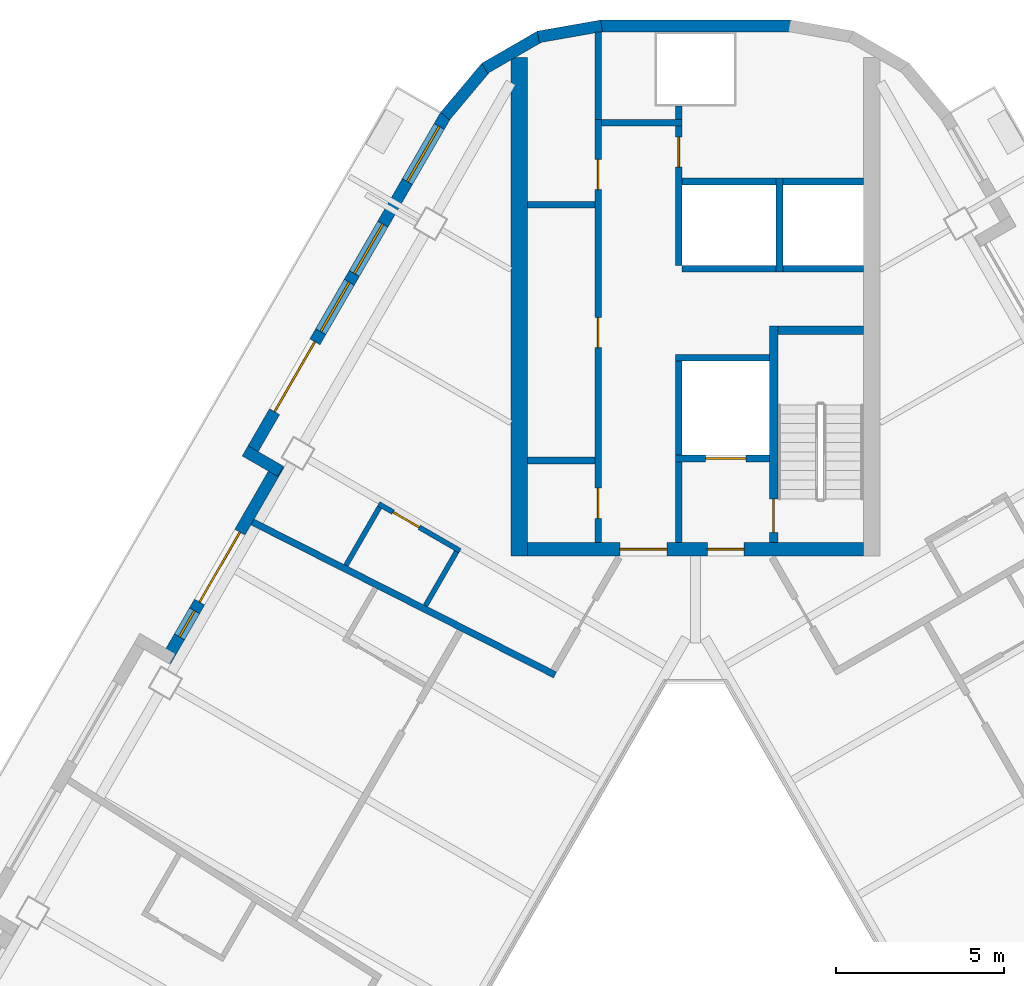
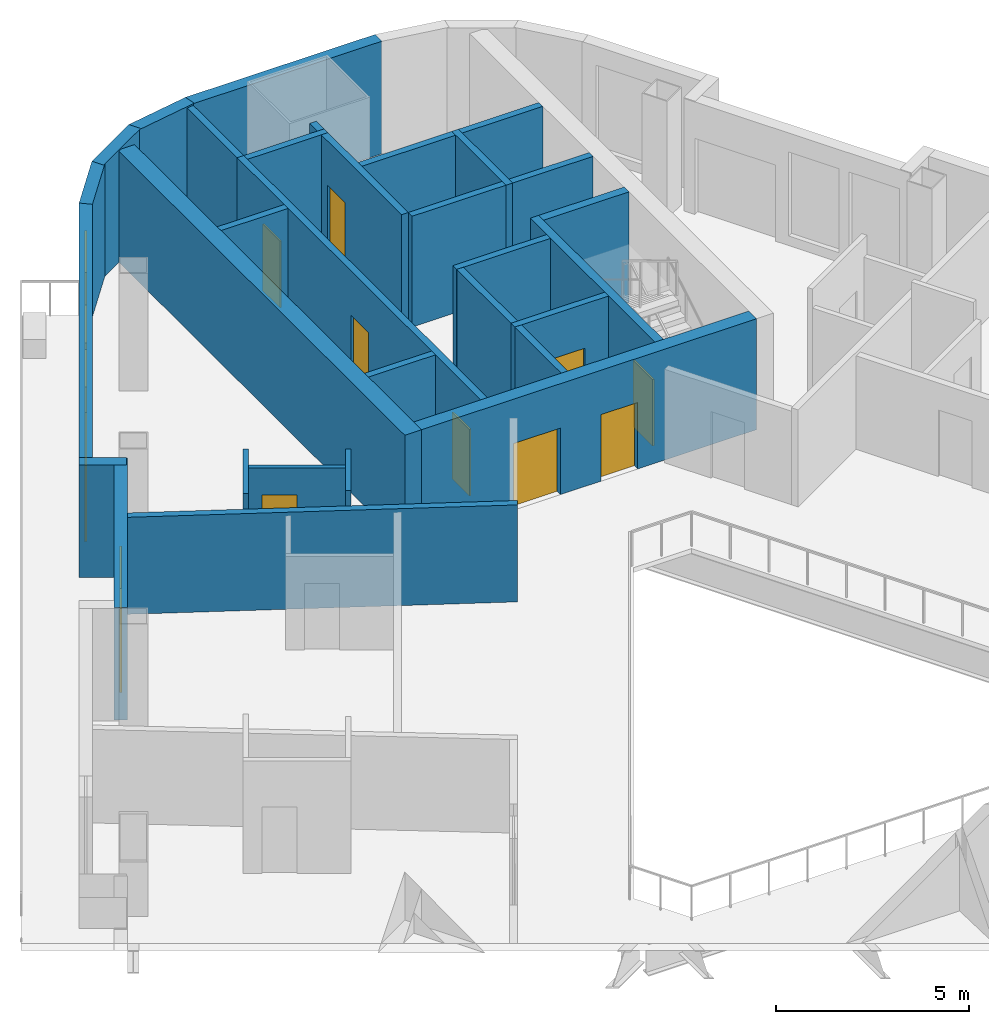
# One storey, part 6 of 13: 31 walls, 11 doors, 4 windows, 15 openings.
"""IFC4 building model written with IfcOpenShell, lengths in metres."""

from ifc_helpers import new_model, si_unit, direction, frame, frame_2d, origin, place, context, subcontext, project, spatial, rectangle, extrude, material, layer, layer_set, type_object, element, fill, save


model = new_model("IFC4")

# Units and contexts
model_context = context("Model", 3, precision=1e-05, world=origin(), true_north=direction((0.0, 1.0)))
body_context = subcontext(model_context, "Body", "Model", "MODEL_VIEW")
ifc_project = project(units=[si_unit("LENGTHUNIT", "METRE"), si_unit("AREAUNIT", "SQUARE_METRE"), si_unit("VOLUMEUNIT", "CUBIC_METRE"), si_unit("PLANEANGLEUNIT", "RADIAN"), si_unit("MASSUNIT", "GRAM", prefix="KILO")], contexts=[model_context])

# Site, building, storey
site_placement = place(None, origin())
site = spatial("IfcSite", under=ifc_project, at=site_placement, CompositionType="ELEMENT")
building_placement = place(site_placement, origin())
building = spatial("IfcBuilding", under=site, at=building_placement, Name="Apuvela Tower Hotel", CompositionType="ELEMENT")
storey_placement = place(building_placement, frame((0.0, 0.0, 194.699951171875)))
storey = spatial("IfcBuildingStorey", under=building, at=storey_placement, Name="L47", CompositionType="ELEMENT", Elevation=194.699951171875)

# Wall, openings, doors
ifc_material_1 = material(Name="Concrete C50/60", Category="concrete")
ifc_layer_1 = layer(ifc_material_1, 0.39990234375)
ifc_layer_set_1 = layer_set([ifc_layer_1], Name="COR-WALL-CORE-400")
wall_type_1 = type_object("IfcWallType", Name="COR-WALL-CORE-400", PredefinedType="SHEAR", material=ifc_layer_set_1)
wall_1_placement = place(storey_placement, frame((5.0, 13.10009765625, 0.0), z_axis=(0.0, 0.0, 1.0), x_axis=(-1.0, 0.0, 0.0)))
wall_1 = element("IfcWall", 1, at=wall_1_placement, inside=storey, type_object=wall_type_1, Name="Core wall N", PredefinedType="SHEAR", context=body_context, shape_type="SweptSolid", body=[
    extrude(rectangle(XDim=10.0, YDim=0.39990234375, at=frame_2d((5.0, 0.0))), origin(), (0.0, 0.0, 1.0), 3.5),
])
opening_1_placement = place(wall_1_placement, frame((3.550048828125, 0.0, 0.0)))
opening_1 = element("IfcOpeningElement", 2, at=opening_1_placement, cuts=wall_1, Name="Opening N-FD", PredefinedType="OPENING", context=body_context, shape_type="SweptSolid", body=[
    extrude(rectangle(XDim=1.10009765625, YDim=2.10009765625, at=frame_2d((0.550048828125, 1.050048828125))), frame((0.0, 0.2099609375, 0.0), z_axis=(0.0, -1.0, 0.0), x_axis=(1.0, 0.0, 0.0)), (0.0, 0.0, 1.0), 0.419921875),
])
opening_2_placement = place(wall_1_placement, frame((5.85009765625, 0.0, 0.0)))
opening_2 = element("IfcOpeningElement", 3, at=opening_2_placement, cuts=wall_1, Name="Opening N-GD", PredefinedType="OPENING", context=body_context, shape_type="SweptSolid", body=[
    extrude(rectangle(XDim=1.39990234375, YDim=2.10009765625, at=frame_2d((0.699951171875, 1.050048828125))), frame((0.0, 0.2099609375, 0.0), z_axis=(0.0, -1.0, 0.0), x_axis=(1.0, 0.0, 0.0)), (0.0, 0.0, 1.0), 0.419921875),
])
ifc_material_2 = material(Name="Steel fire door, powder coated", Category="steel")
door_type_1 = type_object("IfcDoorType", Name="COR-FD-1100", OperationType="NOTDEFINED", PredefinedType="DOOR", material=ifc_material_2)
door_1_placement = place(opening_1_placement, frame((1.10009765625, 0.0, 0.0), z_axis=(0.0, 0.0, 1.0), x_axis=(-1.0, 0.0, 0.0)))
door_1 = element("IfcDoor", 4, at=door_1_placement, inside=storey, type_object=door_type_1, Name="Firefighting lobby door N-FD", OperationType="SINGLE_SWING_LEFT", OverallHeight=2.10009765625, OverallWidth=1.10009765625, PredefinedType="DOOR", context=body_context, shape_type="SweptSolid", body=[
    extrude(rectangle(XDim=1.10009765625, YDim=2.10009765625, at=frame_2d((0.550048828125, 1.050048828125))), frame((0.0, 0.02490234375, 0.0), z_axis=(0.0, -1.0, 0.0), x_axis=(1.0, 0.0, 0.0)), (0.0, 0.0, 1.0), 0.050048828125),
])
fill(opening_1, door_1)
ifc_material_3 = material(Name="Glazed steel fire door", Category="steel")
door_type_2 = type_object("IfcDoorType", Name="COR-GD-1400", OperationType="DOUBLE_DOOR_SINGLE_SWING", PredefinedType="DOOR", material=ifc_material_3)
door_2_placement = place(opening_2_placement, frame((1.39990234375, 0.0, 0.0), z_axis=(0.0, 0.0, 1.0), x_axis=(-1.0, 0.0, 0.0)))
door_2 = element("IfcDoor", 5, at=door_2_placement, inside=storey, type_object=door_type_2, Name="Lift lobby door N-GD", OperationType="DOUBLE_DOOR_SINGLE_SWING", OverallHeight=2.10009765625, OverallWidth=1.39990234375, PredefinedType="DOOR", context=body_context, shape_type="SweptSolid", body=[
    extrude(rectangle(XDim=1.39990234375, YDim=2.10009765625, at=frame_2d((0.699951171875, 1.050048828125))), frame((0.0, 0.02490234375, 0.0), z_axis=(0.0, -1.0, 0.0), x_axis=(1.0, 0.0, 0.0)), (0.0, 0.0, 1.0), 0.050048828125),
])
fill(opening_2, door_2)

# Walls
ifc_layer_2 = layer(ifc_material_1, 0.5)
ifc_layer_set_2 = layer_set([ifc_layer_2], Name="COR-WALL-CORE-500")
wall_type_2 = type_object("IfcWallType", Name="COR-WALL-CORE-500", PredefinedType="SHEAR", material=ifc_layer_set_2)
wall_2_placement = place(storey_placement, frame((-5.25, 12.89990234375, 0.0), z_axis=(0.0, 0.0, 1.0), x_axis=(0.0, 1.0, 0.0)))
element("IfcWall", 6, at=wall_2_placement, inside=storey, type_object=wall_type_2, Name="Core wall N", PredefinedType="SHEAR", context=body_context, shape_type="SweptSolid", body=[
    extrude(rectangle(XDim=14.8369140625, YDim=0.5, at=frame_2d((7.41845703125, 0.0))), origin(), (0.0, 0.0, 1.0), 3.5),
])
ifc_material_4 = material(Name="Blockwork 200 mm plastered", Category="masonry")
ifc_layer_3 = layer(ifc_material_4, 0.199951171875)
ifc_layer_set_3 = layer_set([ifc_layer_3], Name="COR-WALL-PART-200")
wall_type_3 = type_object("IfcWallType", Name="COR-WALL-PART-200", PredefinedType="PARTITIONING", material=ifc_layer_set_3)
wall_3_placement = place(storey_placement, frame((5.0, 21.449951171875, 0.0), z_axis=(0.0, 0.0, 1.0), x_axis=(-1.0, 0.0, 0.0)))
element("IfcWall", 7, at=wall_3_placement, inside=storey, type_object=wall_type_3, Name="Partition N", PredefinedType="PARTITIONING", context=body_context, shape_type="SweptSolid", body=[
    extrude(rectangle(XDim=2.39990234375, YDim=0.199951171875, at=frame_2d((1.199951171875, 0.0))), origin(), (0.0, 0.0, 1.0), 3.5),
])
wall_4_placement = place(storey_placement, frame((2.39990234375, 21.449951171875, 0.0), z_axis=(0.0, 0.0, 1.0), x_axis=(-1.0, 0.0, 0.0)))
element("IfcWall", 8, at=wall_4_placement, inside=storey, type_object=wall_type_3, Name="Partition N", PredefinedType="PARTITIONING", context=body_context, shape_type="SweptSolid", body=[
    extrude(rectangle(XDim=2.7998046875, YDim=0.199951171875, at=frame_2d((1.39990234375, 0.0))), origin(), (0.0, 0.0, 1.0), 3.5),
])
ifc_layer_4 = layer(ifc_material_1, 0.199951171875)
ifc_layer_set_4 = layer_set([ifc_layer_4], Name="COR-WALL-SHAFT-200")
wall_type_4 = type_object("IfcWallType", Name="COR-WALL-SHAFT-200", PredefinedType="SHEAR", material=ifc_layer_set_4)
wall_5_placement = place(storey_placement, frame((2.199951171875, 18.800048828125, 0.0), z_axis=(0.0, 0.0, 1.0), x_axis=(-1.0, 0.0, 0.0)))
element("IfcWall", 9, at=wall_5_placement, inside=storey, type_object=wall_type_4, Name="Shaft wall N", PredefinedType="SHEAR", context=body_context, shape_type="SweptSolid", body=[
    extrude(rectangle(XDim=2.800048828125, YDim=0.199951171875, at=frame_2d((1.39990234375, 0.0))), origin(), (0.0, 0.0, 1.0), 3.5),
])

# Wall, opening, door
wall_6_placement = place(storey_placement, frame((2.199951171875, 15.800048828125, 0.0), z_axis=(0.0, 0.0, 1.0), x_axis=(-1.0, 0.0, 0.0)))
wall_6 = element("IfcWall", 10, at=wall_6_placement, inside=storey, type_object=wall_type_4, Name="Shaft wall N", PredefinedType="SHEAR", context=body_context, shape_type="SweptSolid", body=[
    extrude(rectangle(XDim=2.800048828125, YDim=0.199951171875, at=frame_2d((1.39990234375, 0.0))), origin(), (0.0, 0.0, 1.0), 3.5),
])
opening_3_placement = place(wall_6_placement, frame((0.699951171875, 0.0, 0.0)))
opening_3 = element("IfcOpeningElement", 11, at=opening_3_placement, cuts=wall_6, Name="Opening N-LD-FS1", PredefinedType="OPENING", context=body_context, shape_type="SweptSolid", body=[
    extrude(rectangle(XDim=1.199951171875, YDim=2.10009765625, at=frame_2d((0.60009765625, 1.050048828125))), frame((0.0, 0.10986328125, 0.0), z_axis=(0.0, -1.0, 0.0), x_axis=(1.0, 0.0, 0.0)), (0.0, 0.0, 1.0), 0.219970703125),
])
ifc_material_5 = material(Name="Stainless steel lift landing door", Category="steel")
door_type_3 = type_object("IfcDoorType", Name="COR-LD-1200", OperationType="DOUBLE_DOOR_SLIDING", PredefinedType="DOOR", material=ifc_material_5)
door_3_placement = place(opening_3_placement, origin())
door_3 = element("IfcDoor", 12, at=door_3_placement, inside=storey, type_object=door_type_3, Name="Lift landing door N-LD-FS1", OperationType="DOUBLE_DOOR_SLIDING", OverallHeight=2.10009765625, OverallWidth=1.199951171875, PredefinedType="DOOR", context=body_context, shape_type="SweptSolid", body=[
    extrude(rectangle(XDim=1.199951171875, YDim=2.10009765625, at=frame_2d((0.60009765625, 1.050048828125))), frame((0.0, 0.02490234375, 0.0), z_axis=(0.0, -1.0, 0.0), x_axis=(1.0, 0.0, 0.0)), (0.0, 0.0, 1.0), 0.050048828125),
])
fill(opening_3, door_3)

# Walls
wall_7_placement = place(storey_placement, frame((-0.5, 15.89990234375, 0.0), z_axis=(0.0, 0.0, 1.0), x_axis=(0.0, 1.0, 0.0)))
element("IfcWall", 13, at=wall_7_placement, inside=storey, type_object=wall_type_4, Name="Shaft wall N", PredefinedType="SHEAR", context=body_context, shape_type="SweptSolid", body=[
    extrude(rectangle(XDim=2.800048828125, YDim=0.199951171875, at=frame_2d((1.39990234375, 0.0))), origin(), (0.0, 0.0, 1.0), 3.5),
])
wall_8_placement = place(storey_placement, frame((-0.5, 13.300048828125, 0.0), z_axis=(0.0, 0.0, 1.0), x_axis=(0.0, 1.0, 0.0)))
element("IfcWall", 14, at=wall_8_placement, inside=storey, type_object=wall_type_4, Name="Shaft wall N", PredefinedType="SHEAR", context=body_context, shape_type="SweptSolid", body=[
    extrude(rectangle(XDim=2.39990234375, YDim=0.199951171875, at=frame_2d((1.199951171875, 0.0))), origin(), (0.0, 0.0, 1.0), 3.5),
])

# Wall, openings, doors
wall_9_placement = place(storey_placement, frame((-2.89990234375, 13.300048828125, 0.0), z_axis=(0.0, 0.0, 1.0), x_axis=(0.0, 1.0, 0.0)))
wall_9 = element("IfcWall", 15, at=wall_9_placement, inside=storey, type_object=wall_type_4, Name="Shaft wall N", PredefinedType="SHEAR", context=body_context, shape_type="SweptSolid", body=[
    extrude(rectangle(XDim=12.599853515625, YDim=0.199951171875, at=frame_2d((6.2998046875, 0.0))), origin(), (0.0, 0.0, 1.0), 3.5),
])
opening_4_placement = place(wall_9_placement, frame((0.719970703125, 0.0, 0.0)))
opening_4 = element("IfcOpeningElement", 16, at=opening_4_placement, cuts=wall_9, Name="Opening N-RE1", PredefinedType="OPENING", context=body_context, shape_type="SweptSolid", body=[
    extrude(rectangle(XDim=0.89990234375, YDim=2.10009765625, at=frame_2d((0.449951171875, 1.050048828125))), frame((0.0, 0.10986328125, 0.0), z_axis=(0.0, -1.0, 0.0), x_axis=(1.0, 0.0, 0.0)), (0.0, 0.0, 1.0), 0.219970703125),
])
opening_5_placement = place(wall_9_placement, frame((5.800048828125, 0.0, 0.0)))
opening_5 = element("IfcOpeningElement", 17, at=opening_5_placement, cuts=wall_9, Name="Opening N-RE2", PredefinedType="OPENING", context=body_context, shape_type="SweptSolid", body=[
    extrude(rectangle(XDim=0.89990234375, YDim=2.10009765625, at=frame_2d((0.449951171875, 1.050048828125))), frame((0.0, 0.10986328125, 0.0), z_axis=(0.0, -1.0, 0.0), x_axis=(1.0, 0.0, 0.0)), (0.0, 0.0, 1.0), 0.219970703125),
])
opening_6_placement = place(wall_9_placement, frame((10.510009765625, 0.0, 0.0)))
opening_6 = element("IfcOpeningElement", 18, at=opening_6_placement, cuts=wall_9, Name="Opening N-REP", PredefinedType="OPENING", context=body_context, shape_type="SweptSolid", body=[
    extrude(rectangle(XDim=0.89990234375, YDim=2.10009765625, at=frame_2d((0.449951171875, 1.050048828125))), frame((0.0, 0.10986328125, 0.0), z_axis=(0.0, -1.0, 0.0), x_axis=(1.0, 0.0, 0.0)), (0.0, 0.0, 1.0), 0.219970703125),
])
door_type_4 = type_object("IfcDoorType", Name="COR-DR-900", OperationType="NOTDEFINED", PredefinedType="DOOR", material=ifc_material_2)
door_4_placement = place(opening_4_placement, origin())
door_4 = element("IfcDoor", 19, at=door_4_placement, inside=storey, type_object=door_type_4, Name="Store door N-RE1", OperationType="SINGLE_SWING_LEFT", OverallHeight=2.10009765625, OverallWidth=0.89990234375, PredefinedType="DOOR", context=body_context, shape_type="SweptSolid", body=[
    extrude(rectangle(XDim=0.89990234375, YDim=2.10009765625, at=frame_2d((0.449951171875, 1.050048828125))), frame((0.0, 0.02490234375, 0.0), z_axis=(0.0, -1.0, 0.0), x_axis=(1.0, 0.0, 0.0)), (0.0, 0.0, 1.0), 0.050048828125),
])
fill(opening_4, door_4)
door_5_placement = place(opening_5_placement, origin())
door_5 = element("IfcDoor", 20, at=door_5_placement, inside=storey, type_object=door_type_4, Name="Store door N-RE2", OperationType="SINGLE_SWING_RIGHT", OverallHeight=2.10009765625, OverallWidth=0.89990234375, PredefinedType="DOOR", context=body_context, shape_type="SweptSolid", body=[
    extrude(rectangle(XDim=0.89990234375, YDim=2.10009765625, at=frame_2d((0.449951171875, 1.050048828125))), frame((0.0, 0.02490234375, 0.0), z_axis=(0.0, -1.0, 0.0), x_axis=(1.0, 0.0, 0.0)), (0.0, 0.0, 1.0), 0.050048828125),
])
fill(opening_5, door_5)
door_6_placement = place(opening_6_placement, origin())
door_6 = element("IfcDoor", 21, at=door_6_placement, inside=storey, type_object=door_type_4, Name="Store door N-REP", OperationType="SINGLE_SWING_RIGHT", OverallHeight=2.10009765625, OverallWidth=0.89990234375, PredefinedType="DOOR", context=body_context, shape_type="SweptSolid", body=[
    extrude(rectangle(XDim=0.89990234375, YDim=2.10009765625, at=frame_2d((0.449951171875, 1.050048828125))), frame((0.0, 0.02490234375, 0.0), z_axis=(0.0, -1.0, 0.0), x_axis=(1.0, 0.0, 0.0)), (0.0, 0.0, 1.0), 0.050048828125),
])
fill(opening_6, door_6)

# Wall
wall_10_placement = place(storey_placement, frame((-0.39990234375, 25.800048828125, 0.0), z_axis=(0.0, 0.0, 1.0), x_axis=(-1.0, 0.0, 0.0)))
element("IfcWall", 22, at=wall_10_placement, inside=storey, type_object=wall_type_4, Name="Shaft wall N", PredefinedType="SHEAR", context=body_context, shape_type="SweptSolid", body=[
    extrude(rectangle(XDim=2.400146484375, YDim=0.199951171875, at=frame_2d((1.2001953125, 0.0))), origin(), (0.0, 0.0, 1.0), 3.5),
])

# Wall, opening, door
wall_11_placement = place(storey_placement, frame((-0.5, 21.550048828125, 0.0), z_axis=(0.0, 0.0, 1.0), x_axis=(0.0, 1.0, 0.0)))
wall_11 = element("IfcWall", 23, at=wall_11_placement, inside=storey, type_object=wall_type_4, Name="Shaft wall N", PredefinedType="SHEAR", context=body_context, shape_type="SweptSolid", body=[
    extrude(rectangle(XDim=4.14990234375, YDim=0.199951171875, at=frame_2d((2.074951171875, 0.0))), origin(), (0.0, 0.0, 1.0), 3.5),
])
opening_7_placement = place(wall_11_placement, frame((2.925048828125, 0.0, 0.0)))
opening_7 = element("IfcOpeningElement", 24, at=opening_7_placement, cuts=wall_11, Name="Opening N-RSP", PredefinedType="OPENING", context=body_context, shape_type="SweptSolid", body=[
    extrude(rectangle(XDim=0.89990234375, YDim=2.10009765625, at=frame_2d((0.449951171875, 1.050048828125))), frame((0.0, 0.10986328125, 0.0), z_axis=(0.0, -1.0, 0.0), x_axis=(1.0, 0.0, 0.0)), (0.0, 0.0, 1.0), 0.219970703125),
])
door_7_placement = place(opening_7_placement, frame((0.89990234375, 0.0, 0.0), z_axis=(0.0, 0.0, 1.0), x_axis=(-1.0, 0.0, 0.0)))
door_7 = element("IfcDoor", 25, at=door_7_placement, inside=storey, type_object=door_type_4, Name="Store door N-RSP", OperationType="SINGLE_SWING_LEFT", OverallHeight=2.10009765625, OverallWidth=0.89990234375, PredefinedType="DOOR", context=body_context, shape_type="SweptSolid", body=[
    extrude(rectangle(XDim=0.89990234375, YDim=2.10009765625, at=frame_2d((0.449951171875, 1.050048828125))), frame((0.0, 0.02490234375, 0.0), z_axis=(0.0, -1.0, 0.0), x_axis=(1.0, 0.0, 0.0)), (0.0, 0.0, 1.0), 0.050048828125),
])
fill(opening_7, door_7)

# Walls
for number, where, z_axis, x_axis, name in (
    (26, (-3.0, 15.739990234375, 0.0), (0.0, 0.0, 1.0), (-1.0, 0.0, 0.0), "Shaft wall N"),
    (27, (-3.0, 23.360107421875, 0.0), (0.0, 0.0, 1.0), (-1.0, 0.0, 0.0), "Shaft wall N"),
):
    element("IfcWall", number, at=place(storey_placement, frame(where, z_axis=z_axis, x_axis=x_axis)), inside=storey, type_object=wall_type_4, Name=name, PredefinedType="SHEAR", context=body_context, shape_type="SweptSolid", body=[
        extrude(rectangle(XDim=2.0, YDim=0.199951171875, at=frame_2d((1.0, 0.0))), origin(), (0.0, 0.0, 1.0), 3.5),
    ])
wall_12_placement = place(storey_placement, frame((-0.5, 25.89990234375, 0.0), z_axis=(0.0, 0.0, 1.0), x_axis=(0.0, 1.0, 0.0)))
element("IfcWall", 28, at=wall_12_placement, inside=storey, type_object=wall_type_4, Name="Shaft wall N", PredefinedType="SHEAR", context=body_context, shape_type="SweptSolid", body=[
    extrude(rectangle(XDim=0.400146484375, YDim=0.199951171875, at=frame_2d((0.2001953125, 0.0))), origin(), (0.0, 0.0, 1.0), 3.5),
])
wall_13_placement = place(storey_placement, frame((-2.89990234375, 25.89990234375, 0.0), z_axis=(0.0, 0.0, 1.0), x_axis=(0.0, 1.0, 0.0)))
element("IfcWall", 29, at=wall_13_placement, inside=storey, type_object=wall_type_4, Name="Shaft wall N", PredefinedType="SHEAR", context=body_context, shape_type="SweptSolid", body=[
    extrude(rectangle(XDim=2.60009765625, YDim=0.199951171875, at=frame_2d((1.300048828125, 0.0))), origin(), (0.0, 0.0, 1.0), 3.5),
])
wall_14_placement = place(storey_placement, frame((2.5, 21.35009765625, 0.0), z_axis=(0.0, 0.0, 1.0), x_axis=(0.0, 1.0, 0.0)))
element("IfcWall", 30, at=wall_14_placement, inside=storey, type_object=wall_type_4, Name="Shaft wall N", PredefinedType="SHEAR", context=body_context, shape_type="SweptSolid", body=[
    extrude(rectangle(XDim=2.7998046875, YDim=0.199951171875, at=frame_2d((1.39990234375, 0.0))), origin(), (0.0, 0.0, 1.0), 3.5),
])
wall_15_placement = place(storey_placement, frame((5.0, 24.050048828125, 0.0), z_axis=(0.0, 0.0, 1.0), x_axis=(-1.0, 0.0, 0.0)))
element("IfcWall", 31, at=wall_15_placement, inside=storey, type_object=wall_type_4, Name="Shaft wall N", PredefinedType="SHEAR", context=body_context, shape_type="SweptSolid", body=[
    extrude(rectangle(XDim=2.39990234375, YDim=0.199951171875, at=frame_2d((1.199951171875, 0.0))), origin(), (0.0, 0.0, 1.0), 3.5),
])
wall_16_placement = place(storey_placement, frame((2.39990234375, 24.050048828125, 0.0), z_axis=(0.0, 0.0, 1.0), x_axis=(-1.0, 0.0, 0.0)))
element("IfcWall", 32, at=wall_16_placement, inside=storey, type_object=wall_type_4, Name="Shaft wall N", PredefinedType="SHEAR", context=body_context, shape_type="SweptSolid", body=[
    extrude(rectangle(XDim=2.7998046875, YDim=0.199951171875, at=frame_2d((1.39990234375, 0.0))), origin(), (0.0, 0.0, 1.0), 3.5),
])

# Wall, opening, door
ifc_layer_5 = layer(ifc_material_1, 0.25)
ifc_layer_set_5 = layer_set([ifc_layer_5], Name="COR-WALL-STAIR-250")
wall_type_5 = type_object("IfcWallType", Name="COR-WALL-STAIR-250", PredefinedType="SHEAR", material=ifc_layer_set_5)
wall_17_placement = place(storey_placement, frame((2.324951171875, 13.300048828125, 0.0), z_axis=(0.0, 0.0, 1.0), x_axis=(0.0, 1.0, 0.0)))
wall_17 = element("IfcWall", 33, at=wall_17_placement, inside=storey, type_object=wall_type_5, Name="Stair wall N", PredefinedType="SHEAR", context=body_context, shape_type="SweptSolid", body=[
    extrude(rectangle(XDim=6.449951171875, YDim=0.25, at=frame_2d((3.22509765625, 0.0))), origin(), (0.0, 0.0, 1.0), 3.5),
])
opening_8_placement = place(wall_17_placement, frame((0.300048828125, 0.0, 0.0)))
opening_8 = element("IfcOpeningElement", 34, at=opening_8_placement, cuts=wall_17, Name="Opening N-SD", PredefinedType="OPENING", context=body_context, shape_type="SweptSolid", body=[
    extrude(rectangle(XDim=1.0, YDim=2.10009765625, at=frame_2d((0.5, 1.050048828125))), frame((0.0, 0.135009765625, 0.0), z_axis=(0.0, -1.0, 0.0), x_axis=(1.0, 0.0, 0.0)), (0.0, 0.0, 1.0), 0.27001953125),
])
door_type_5 = type_object("IfcDoorType", Name="COR-SD-1000", OperationType="NOTDEFINED", PredefinedType="DOOR", material=ifc_material_2)
door_8_placement = place(opening_8_placement, frame((1.0, 0.0, 0.0), z_axis=(0.0, 0.0, 1.0), x_axis=(-1.0, 0.0, 0.0)))
door_8 = element("IfcDoor", 35, at=door_8_placement, inside=storey, type_object=door_type_5, Name="Stair door N-SD", OperationType="SINGLE_SWING_LEFT", OverallHeight=2.10009765625, OverallWidth=1.0, PredefinedType="DOOR", context=body_context, shape_type="SweptSolid", body=[
    extrude(rectangle(XDim=1.0, YDim=2.10009765625, at=frame_2d((0.5, 1.050048828125))), frame((0.0, 0.02490234375, 0.0), z_axis=(0.0, -1.0, 0.0), x_axis=(1.0, 0.0, 0.0)), (0.0, 0.0, 1.0), 0.050048828125),
])
fill(opening_8, door_8)

# Wall
wall_18_placement = place(storey_placement, frame((5.0, 19.625, 0.0), z_axis=(0.0, 0.0, 1.0), x_axis=(-1.0, 0.0, 0.0)))
element("IfcWall", 36, at=wall_18_placement, inside=storey, type_object=wall_type_5, Name="Stair wall N", PredefinedType="SHEAR", context=body_context, shape_type="SweptSolid", body=[
    extrude(rectangle(XDim=2.550048828125, YDim=0.25, at=frame_2d((1.27490234375, 0.0))), origin(), (0.0, 0.0, 1.0), 3.5),
])

# Wall, openings, door, windows
ifc_material_6 = material(Name="Concrete C40/50, dark pigmented precast panel", Category="concrete")
ifc_layer_6 = layer(ifc_material_6, 0.35009765625)
ifc_layer_set_6 = layer_set([ifc_layer_6], Name="ENV-WALL-350")
wall_type_6 = type_object("IfcWallType", Name="ENV-WALL-350", PredefinedType="SOLIDWALL", material=ifc_layer_set_6)
wall_19_placement = place(storey_placement, frame((-7.440673828125, 26.0224609375, 0.0), z_axis=(0.0, 0.0, 1.0), x_axis=(-0.499992533062, -0.86602971478, 0.0)))
wall_19 = element("IfcWall", 37, at=wall_19_placement, inside=storey, type_object=wall_type_6, Name="External wall L47-01", PredefinedType="SOLIDWALL", context=body_context, shape_type="SweptSolid", body=[
    extrude(rectangle(XDim=11.815673828125, YDim=0.35009765625, at=frame_2d((5.90771484375, 0.0))), origin(), (0.0, 0.0, 1.0), 3.550048828125),
])
opening_9_placement = place(wall_19_placement, frame((0.381103515625, 0.0, 0.300048828125)))
opening_9 = element("IfcOpeningElement", 38, at=opening_9_placement, cuts=wall_19, Name="Opening WN19", PredefinedType="OPENING", context=body_context, shape_type="SweptSolid", body=[
    extrude(rectangle(XDim=1.89990234375, YDim=2.64990234375, at=frame_2d((0.949951171875, 1.324951171875))), frame((0.0, 0.18505859375, 0.0), z_axis=(0.0, -1.0, 0.0), x_axis=(1.0, 0.0, 0.0)), (0.0, 0.0, 1.0), 0.3701171875),
])
opening_10_placement = place(wall_19_placement, frame((7.79052734375, 0.0, 0.0)))
opening_10 = element("IfcOpeningElement", 39, at=opening_10_placement, cuts=wall_19, Name="Opening BD24", PredefinedType="OPENING", context=body_context, shape_type="SweptSolid", body=[
    extrude(rectangle(XDim=2.39990234375, YDim=2.39990234375, at=frame_2d((1.199951171875, 1.199951171875))), frame((0.0, 0.18505859375, 0.0), z_axis=(0.0, -1.0, 0.0), x_axis=(1.0, 0.0, 0.0)), (0.0, 0.0, 1.0), 0.3701171875),
])
opening_11_placement = place(wall_19_placement, frame((3.7412109375, 0.0, 0.300048828125)))
opening_11 = element("IfcOpeningElement", 40, at=opening_11_placement, cuts=wall_19, Name="Opening WN17", PredefinedType="OPENING", context=body_context, shape_type="SweptSolid", body=[
    extrude(rectangle(XDim=1.699951171875, YDim=2.64990234375, at=frame_2d((0.85009765625, 1.324951171875))), frame((0.0, 0.18505859375, 0.0), z_axis=(0.0, -1.0, 0.0), x_axis=(1.0, 0.0, 0.0)), (0.0, 0.0, 1.0), 0.3701171875),
])
opening_12_placement = place(wall_19_placement, frame((5.7412109375, 0.0, 0.300048828125)))
opening_12 = element("IfcOpeningElement", 41, at=opening_12_placement, cuts=wall_19, Name="Opening WN17", PredefinedType="OPENING", context=body_context, shape_type="SweptSolid", body=[
    extrude(rectangle(XDim=1.699951171875, YDim=2.64990234375, at=frame_2d((0.85009765625, 1.324951171875))), frame((0.0, 0.18505859375, 0.0), z_axis=(0.0, -1.0, 0.0), x_axis=(1.0, 0.0, 0.0)), (0.0, 0.0, 1.0), 0.3701171875),
])
ifc_material_7 = material(Name="Aluminium 6063-T6, dark bronze anodised frame with dark tinted laminated glass", Category="aluminium")
door_type_6 = type_object("IfcDoorType", Name="ENV-DOOR-BALCONY-2400x2400", OperationType="SLIDING_TO_LEFT", PredefinedType="DOOR", material=ifc_material_7)
door_9_placement = place(opening_10_placement, frame((2.39990234375, 0.0, 0.0), z_axis=(0.0, 0.0, 1.0), x_axis=(-1.0, 0.0, 0.0)))
door_9 = element("IfcDoor", 42, at=door_9_placement, inside=storey, type_object=door_type_6, Name="Balcony door BD24", OperationType="SLIDING_TO_LEFT", OverallHeight=2.39990234375, OverallWidth=2.39990234375, PredefinedType="DOOR", context=body_context, shape_type="SweptSolid", body=[
    extrude(rectangle(XDim=2.39990234375, YDim=2.39990234375, at=frame_2d((1.199951171875, 1.199951171875))), frame((0.0, 0.02490234375, 0.0), z_axis=(0.0, -1.0, 0.0), x_axis=(1.0, 0.0, 0.0)), (0.0, 0.0, 1.0), 0.050048828125),
])
fill(opening_10, door_9)
ifc_material_8 = material(Name="Glass, dark tinted laminated insulated glazing unit", Category="glass")
window_type_1 = type_object("IfcWindowType", Name="ENV-WIN-1700x2650", PartitioningType="SINGLE_PANEL", PredefinedType="WINDOW", material=ifc_material_8)
window_1_placement = place(opening_11_placement, origin())
window_1 = element("IfcWindow", 43, at=window_1_placement, inside=storey, type_object=window_type_1, Name="Window WN17", OverallHeight=2.64990234375, OverallWidth=1.699951171875, PartitioningType="SINGLE_PANEL", PredefinedType="WINDOW", context=body_context, shape_type="SweptSolid", body=[
    extrude(rectangle(XDim=1.699951171875, YDim=2.64990234375, at=frame_2d((0.85009765625, 1.324951171875))), frame((0.0, 0.030029296875, 0.0), z_axis=(0.0, -1.0, 0.0), x_axis=(1.0, 0.0, 0.0)), (0.0, 0.0, 1.0), 0.06005859375),
])
fill(opening_11, window_1)
window_2_placement = place(opening_12_placement, origin())
window_2 = element("IfcWindow", 44, at=window_2_placement, inside=storey, type_object=window_type_1, Name="Window WN17", OverallHeight=2.64990234375, OverallWidth=1.699951171875, PartitioningType="SINGLE_PANEL", PredefinedType="WINDOW", context=body_context, shape_type="SweptSolid", body=[
    extrude(rectangle(XDim=1.699951171875, YDim=2.64990234375, at=frame_2d((0.85009765625, 1.324951171875))), frame((0.0, 0.030029296875, 0.0), z_axis=(0.0, -1.0, 0.0), x_axis=(1.0, 0.0, 0.0)), (0.0, 0.0, 1.0), 0.06005859375),
])
fill(opening_12, window_2)
window_type_2 = type_object("IfcWindowType", Name="ENV-WIN-1900x2650", PartitioningType="SINGLE_PANEL", PredefinedType="WINDOW", material=ifc_material_8)
window_3_placement = place(opening_9_placement, origin())
window_3 = element("IfcWindow", 45, at=window_3_placement, inside=storey, type_object=window_type_2, Name="Window WN19", OverallHeight=2.64990234375, OverallWidth=1.89990234375, PartitioningType="SINGLE_PANEL", PredefinedType="WINDOW", context=body_context, shape_type="SweptSolid", body=[
    extrude(rectangle(XDim=1.89990234375, YDim=2.64990234375, at=frame_2d((0.949951171875, 1.324951171875))), frame((0.0, 0.030029296875, 0.0), z_axis=(0.0, -1.0, 0.0), x_axis=(1.0, 0.0, 0.0)), (0.0, 0.0, 1.0), 0.06005859375),
])
fill(opening_9, window_3)

# Wall
wall_20_placement = place(storey_placement, frame((-13.41259765625, 16.02880859375, 0.0), z_axis=(0.0, 0.0, 1.0), x_axis=(0.866005645448, -0.500034220881, 0.0)))
element("IfcWall", 46, at=wall_20_placement, inside=storey, type_object=wall_type_6, Name="External wall L47-02", PredefinedType="SOLIDWALL", context=body_context, shape_type="SweptSolid", body=[
    extrude(rectangle(XDim=1.22021484375, YDim=0.35009765625, at=frame_2d((0.610107421875, 0.0))), origin(), (0.0, 0.0, 1.0), 3.550048828125),
])

# Wall, openings, door, window
wall_21_placement = place(storey_placement, frame((-12.408935546875, 15.616943359375, 0.0), z_axis=(0.0, 0.0, 1.0), x_axis=(-0.500003597184, -0.866023326939, 0.0)))
wall_21 = element("IfcWall", 47, at=wall_21_placement, inside=storey, type_object=wall_type_6, Name="External wall L47-03", PredefinedType="SOLIDWALL", context=body_context, shape_type="SweptSolid", body=[
    extrude(rectangle(XDim=6.740234375, YDim=0.35009765625, at=frame_2d((3.3701171875, 0.0))), origin(), (0.0, 0.0, 1.0), 3.550048828125),
])
opening_13_placement = place(wall_21_placement, frame((2.320068359375, 0.0, 0.0)))
opening_13 = element("IfcOpeningElement", 48, at=opening_13_placement, cuts=wall_21, Name="Opening BD24", PredefinedType="OPENING", context=body_context, shape_type="SweptSolid", body=[
    extrude(rectangle(XDim=2.39990234375, YDim=2.39990234375, at=frame_2d((1.199951171875, 1.199951171875))), frame((0.0, 0.18505859375, 0.0), z_axis=(0.0, -1.0, 0.0), x_axis=(1.0, 0.0, 0.0)), (0.0, 0.0, 1.0), 0.3701171875),
])
opening_14_placement = place(wall_21_placement, frame((5.02001953125, 0.0, 0.300048828125)))
opening_14 = element("IfcOpeningElement", 49, at=opening_14_placement, cuts=wall_21, Name="Opening WN09", PredefinedType="OPENING", context=body_context, shape_type="SweptSolid", body=[
    extrude(rectangle(XDim=0.89990234375, YDim=2.64990234375, at=frame_2d((0.449951171875, 1.324951171875))), frame((0.0, 0.18505859375, 0.0), z_axis=(0.0, -1.0, 0.0), x_axis=(1.0, 0.0, 0.0)), (0.0, 0.0, 1.0), 0.3701171875),
])
door_10_placement = place(opening_13_placement, frame((2.39990234375, 0.0, 0.0), z_axis=(0.0, 0.0, 1.0), x_axis=(-1.0, 0.0, 0.0)))
door_10 = element("IfcDoor", 50, at=door_10_placement, inside=storey, type_object=door_type_6, Name="Balcony door BD24", OperationType="SLIDING_TO_LEFT", OverallHeight=2.39990234375, OverallWidth=2.39990234375, PredefinedType="DOOR", context=body_context, shape_type="SweptSolid", body=[
    extrude(rectangle(XDim=2.39990234375, YDim=2.39990234375, at=frame_2d((1.199951171875, 1.199951171875))), frame((0.0, 0.02490234375, 0.0), z_axis=(0.0, -1.0, 0.0), x_axis=(1.0, 0.0, 0.0)), (0.0, 0.0, 1.0), 0.050048828125),
])
fill(opening_13, door_10)
window_type_3 = type_object("IfcWindowType", Name="ENV-WIN-900x2650", PartitioningType="SINGLE_PANEL", PredefinedType="WINDOW", material=ifc_material_8)
window_4_placement = place(opening_14_placement, origin())
window_4 = element("IfcWindow", 51, at=window_4_placement, inside=storey, type_object=window_type_3, Name="Window WN09", OverallHeight=2.64990234375, OverallWidth=0.89990234375, PartitioningType="SINGLE_PANEL", PredefinedType="WINDOW", context=body_context, shape_type="SweptSolid", body=[
    extrude(rectangle(XDim=0.89990234375, YDim=2.64990234375, at=frame_2d((0.449951171875, 1.324951171875))), frame((0.0, 0.030029296875, 0.0), z_axis=(0.0, -1.0, 0.0), x_axis=(1.0, 0.0, 0.0)), (0.0, 0.0, 1.0), 0.06005859375),
])
fill(opening_14, window_4)

# Walls
wall_22_placement = place(storey_placement, frame((2.8291015625, 28.68505859375, 0.0), z_axis=(0.0, 0.0, 1.0), x_axis=(-1.0, 0.0, 0.0)))
element("IfcWall", 52, at=wall_22_placement, inside=storey, type_object=wall_type_6, Name="External wall L47-45", PredefinedType="SOLIDWALL", context=body_context, shape_type="SweptSolid", body=[
    extrude(rectangle(XDim=5.658203125, YDim=0.35009765625, at=frame_2d((2.8291015625, 0.0))), origin(), (0.0, 0.0, 1.0), 3.550048828125),
])
for number, where, z_axis, x_axis, name in (
    (53, (-2.798583984375, 28.687744140625, 0.0), (0.0, 0.0, 1.0), (-0.984798995425, -0.173697837091, 0.0), "External wall L47-46"),
    (54, (-4.62255859375, 28.376708984375, 0.0), (0.0, 0.0, 1.0), (-0.866032345022, -0.499987977232, 0.0), "External wall L47-47"),
):
    element("IfcWall", number, at=place(storey_placement, frame(where, z_axis=z_axis, x_axis=x_axis)), inside=storey, type_object=wall_type_6, Name=name, PredefinedType="SOLIDWALL", context=body_context, shape_type="SweptSolid", body=[
        extrude(rectangle(XDim=1.91015625, YDim=0.35009765625, at=frame_2d((0.955078125, 0.0))), origin(), (0.0, 0.0, 1.0), 3.550048828125),
    ])
wall_23_placement = place(storey_placement, frame((-6.230224609375, 27.460693359375, 0.0), z_axis=(0.0, 0.0, 1.0), x_axis=(-0.642808304945, -0.766027077259, 0.0)))
element("IfcWall", 55, at=wall_23_placement, inside=storey, type_object=wall_type_6, Name="External wall L47-48", PredefinedType="SOLIDWALL", context=body_context, shape_type="SweptSolid", body=[
    extrude(rectangle(XDim=1.909912109375, YDim=0.35009765625, at=frame_2d((0.955078125, 0.0))), origin(), (0.0, 0.0, 1.0), 3.550048828125),
])
ifc_material_9 = material(Name="Gypsum board partition on twin steel stud", Category="steel")
ifc_layer_7 = layer(ifc_material_9, 0.199951171875)
ifc_layer_set_7 = layer_set([ifc_layer_7], Name="GST-PW1")
wall_type_7 = type_object("IfcWallType", Name="GST-PW1", PredefinedType="PARTITIONING", material=ifc_layer_set_7)
wall_24_placement = place(storey_placement, frame((-13.1923828125, 13.909912109375, 0.0), z_axis=(0.0, 0.0, 1.0), x_axis=(0.892469554868, -0.451107629766, 0.0)))
element("IfcWall", 56, at=wall_24_placement, inside=storey, type_object=wall_type_7, Name="L47 partition 05", PredefinedType="PARTITIONING", context=body_context, shape_type="SweptSolid", body=[
    extrude(rectangle(XDim=10.095703125, YDim=0.199951171875, at=frame_2d((5.0478515625, 0.0))), origin(), (0.0, 0.0, 1.0), 3.06005859375),
])

# Wall, opening, door
ifc_material_10 = material(Name="Moisture-resistant gypsum board wet wall on steel stud", Category="steel")
ifc_layer_8 = layer(ifc_material_10, 0.14990234375)
ifc_layer_set_8 = layer_set([ifc_layer_8], Name="GST-PW3")
wall_type_8 = type_object("IfcWallType", Name="GST-PW3", PredefinedType="PARTITIONING", material=ifc_layer_set_8)
wall_25_placement = place(storey_placement, frame((-7.013427734375, 13.052490234375, 0.0), z_axis=(0.0, 0.0, 1.0), x_axis=(-0.866034573852, 0.49998411664, 0.0)))
wall_25 = element("IfcWall", 57, at=wall_25_placement, inside=storey, type_object=wall_type_8, Name="L47 partition 30", PredefinedType="PARTITIONING", context=body_context, shape_type="SweptSolid", body=[
    extrude(rectangle(XDim=2.7998046875, YDim=0.14990234375, at=frame_2d((1.39990234375, 0.0))), origin(), (0.0, 0.0, 1.0), 2.949951171875),
])
opening_15_placement = place(wall_25_placement, frame((1.39990234375, 0.0, 0.0)))
opening_15 = element("IfcOpeningElement", 58, at=opening_15_placement, cuts=wall_25, Name="Opening GD18-13", PredefinedType="OPENING", context=body_context, shape_type="SweptSolid", body=[
    extrude(rectangle(XDim=0.89990234375, YDim=2.10009765625, at=frame_2d((0.449951171875, 1.050048828125))), frame((0.0, 0.0849609375, 0.0), z_axis=(0.0, -1.0, 0.0), x_axis=(1.0, 0.0, 0.0)), (0.0, 0.0, 1.0), 0.169921875),
])
ifc_material_11 = material(Name="Timber door leaf in steel frame", Category="steel")
door_type_7 = type_object("IfcDoorType", Name="GST-D2", OperationType="NOTDEFINED", PredefinedType="DOOR", material=ifc_material_11)
door_11_placement = place(opening_15_placement, origin())
door_11 = element("IfcDoor", 59, at=door_11_placement, inside=storey, type_object=door_type_7, Name="Door L47-13", OperationType="SINGLE_SWING_RIGHT", OverallHeight=2.10009765625, OverallWidth=0.89990234375, PredefinedType="DOOR", context=body_context, shape_type="SweptSolid", body=[
    extrude(rectangle(XDim=0.89990234375, YDim=2.10009765625, at=frame_2d((0.449951171875, 1.050048828125))), frame((0.0, 0.02490234375, 0.0), z_axis=(0.0, -1.0, 0.0), x_axis=(1.0, 0.0, 0.0)), (0.0, 0.0, 1.0), 0.050048828125),
])
fill(opening_15, door_11)

# Walls
wall_26_placement = place(storey_placement, frame((-9.410888671875, 14.349853515625, 0.0), z_axis=(0.0, 0.0, 1.0), x_axis=(-0.499982900776, -0.866035275801, 0.0)))
element("IfcWall", 60, at=wall_26_placement, inside=storey, type_object=wall_type_8, Name="L47 partition 31", PredefinedType="PARTITIONING", context=body_context, shape_type="SweptSolid", body=[
    extrude(rectangle(XDim=2.00146484375, YDim=0.14990234375, at=frame_2d((1.000732421875, 0.0))), origin(), (0.0, 0.0, 1.0), 3.550048828125),
])
wall_27_placement = place(storey_placement, frame((-7.115966796875, 13.02490234375, 0.0), z_axis=(0.0, 0.0, 1.0), x_axis=(-0.4999770169, -0.866038672677, 0.0)))
element("IfcWall", 61, at=wall_27_placement, inside=storey, type_object=wall_type_8, Name="L47 partition 32", PredefinedType="PARTITIONING", context=body_context, shape_type="SweptSolid", body=[
    extrude(rectangle(XDim=1.85400390625, YDim=0.14990234375, at=frame_2d((0.927001953125, 0.0))), origin(), (0.0, 0.0, 1.0), 3.550048828125),
])

save(model, "model.ifc")
